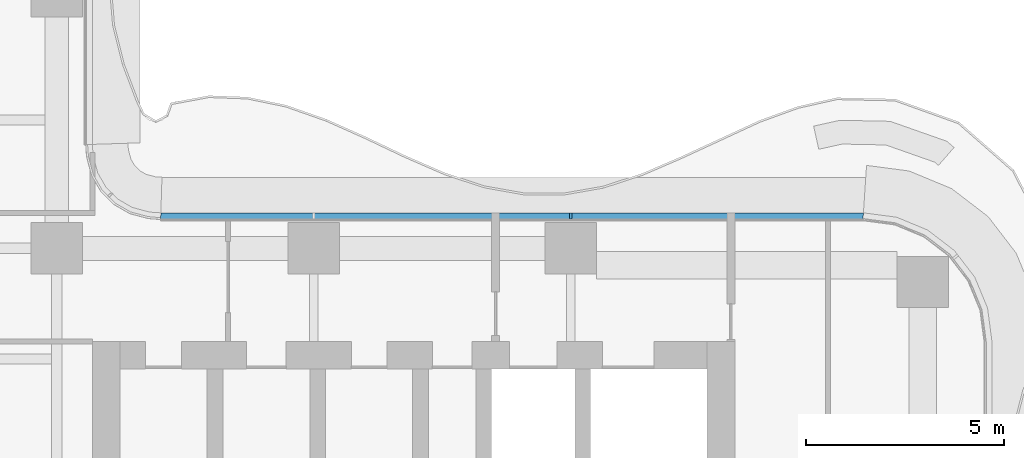
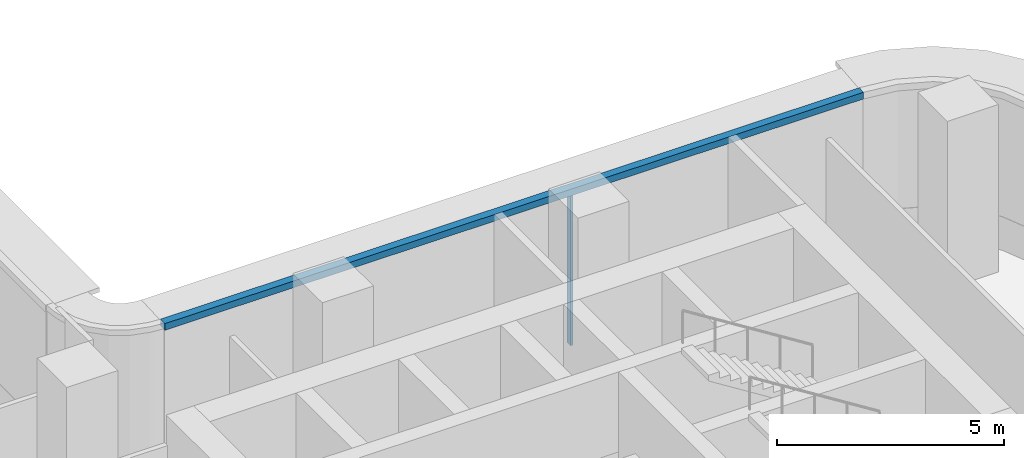
# One storey, part 10 of 20: 2 members, 1 element without a shape of its own.
"""IFC4 building model written with IfcOpenShell, lengths in metres."""

from ifc_helpers import new_model, si_unit, direction, frame, origin, origin_2d, place, context, subcontext, project, spatial, polyline, rectangle, outline, extrude, source, transform, mapped, material, layer, layer_set, material_profile, profile_set, type_object, element, aggregate, save


model = new_model("IFC4")

# Units and contexts
model_context = context("Model", 3, precision=1e-05, world=origin(), true_north=direction((0.0, 1.0)))
body_context = subcontext(model_context, "Body", "Model", "MODEL_VIEW")
ifc_project = project(units=[si_unit("LENGTHUNIT", "METRE"), si_unit("AREAUNIT", "SQUARE_METRE"), si_unit("VOLUMEUNIT", "CUBIC_METRE"), si_unit("PLANEANGLEUNIT", "RADIAN"), si_unit("MASSUNIT", "GRAM", prefix="KILO")], contexts=[model_context])

# Site, building, storey
site_placement = place(None, origin())
site = spatial("IfcSite", under=ifc_project, at=site_placement, CompositionType="ELEMENT")
building_placement = place(site_placement, origin())
building = spatial("IfcBuilding", under=site, at=building_placement, Name="Trellis Farm Tower", CompositionType="ELEMENT")
storey_placement = place(building_placement, frame((0.0, 0.0, 133.5)))
storey = spatial("IfcBuildingStorey", under=building, at=storey_placement, Name="L28", CompositionType="ELEMENT", Elevation=133.5)

# Curtain wall, members
ifc_material_1 = material(Name="Aluminium and glass curtain wall", Category="aluminium")
ifc_layer_1 = layer(ifc_material_1, 0.18994140625)
ifc_layer_set_1 = layer_set([ifc_layer_1], Name="RIBBON CURTAIN WALL CW1")
curtain_wall_type = type_object("IfcCurtainWallType", Name="RIBBON CURTAIN WALL CW1", PredefinedType="NOTDEFINED", material=ifc_layer_set_1)
curtain_wall_placement = place(storey_placement, origin())
curtain_wall = element("IfcCurtainWall", 1, at=curtain_wall_placement, inside=storey, type_object=curtain_wall_type, Name="CW1 007", PredefinedType="NOTDEFINED")
ifc_material_2 = material(Name="Aluminium extrusion 6063-T6", Category="aluminium")
ifc_material_profile = material_profile(ifc_material_2, rectangle(XDim=0.06005859375, YDim=0.14990234375, at=origin_2d()), Name="MULLION 60x150")
ifc_profile_set = profile_set([ifc_material_profile], Name="Aluminium extrusion 6063-T6")
member_type_1 = type_object("IfcMemberType", Name="CW1 MULLION 60x150", PredefinedType="MULLION", material=ifc_profile_set)
shared_shape_1 = source(origin(), body_context, "Body", "SweptSolid", [
    extrude(rectangle(XDim=0.06005859375, YDim=0.14990234375, at=origin_2d()), origin(), (0.0, 0.0, 1.0), 4.070068359375),
])
member_1_placement = place(storey_placement, frame((18.60009765625, 6.425048828125, 0.0), z_axis=(0.0, 0.0, 1.0), x_axis=(-1.0, 0.0, 0.0)))
member_1 = element("IfcMember", 2, at=member_1_placement, type_object=member_type_1, Name="MU1 007-01", PredefinedType="MULLION", context=body_context, shape_type="MappedRepresentation", body=[
    mapped(shared_shape_1, transform((0.0, 0.0, 0.0))),
])
ifc_layer_2 = layer(ifc_material_2, 0.199951171875)
ifc_layer_set_2 = layer_set([ifc_layer_2], Name="Aluminium extrusion 6063-T6")
member_type_2 = type_object("IfcMemberType", Name="CW1 TRANSOM 200x180", PredefinedType="USERDEFINED", material=ifc_layer_set_2)
shared_shape_2 = source(origin(), body_context, "Body", "SweptSolid", [
    extrude(outline(polyline([(26.0, 6.5), (8.2314453125, 6.5), (8.224853515625, 6.300048828125), (25.98681640625, 6.300048828125), (26.0, 6.5)])), origin(), (0.0, 0.0, 1.0), 0.179931640625),
])
member_2_placement = place(storey_placement, frame((0.0, 0.0, 4.070068359375)))
member_2 = element("IfcMember", 3, at=member_2_placement, type_object=member_type_2, Name="TR1 007", ObjectType="TRANSOM", PredefinedType="USERDEFINED", context=body_context, shape_type="MappedRepresentation", body=[
    mapped(shared_shape_2, transform((0.0, 0.0, 0.0))),
])
aggregate(curtain_wall, [member_1, member_2])

save(model, "model.ifc")
